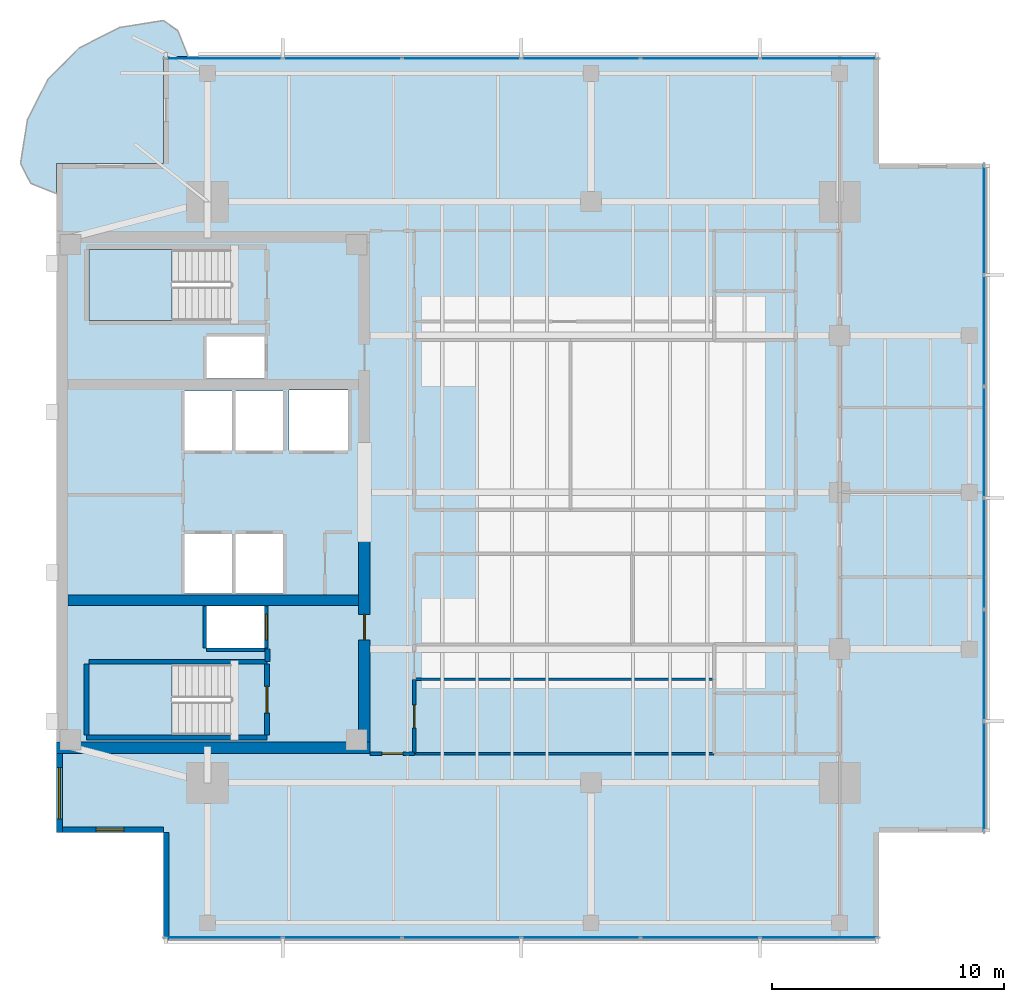
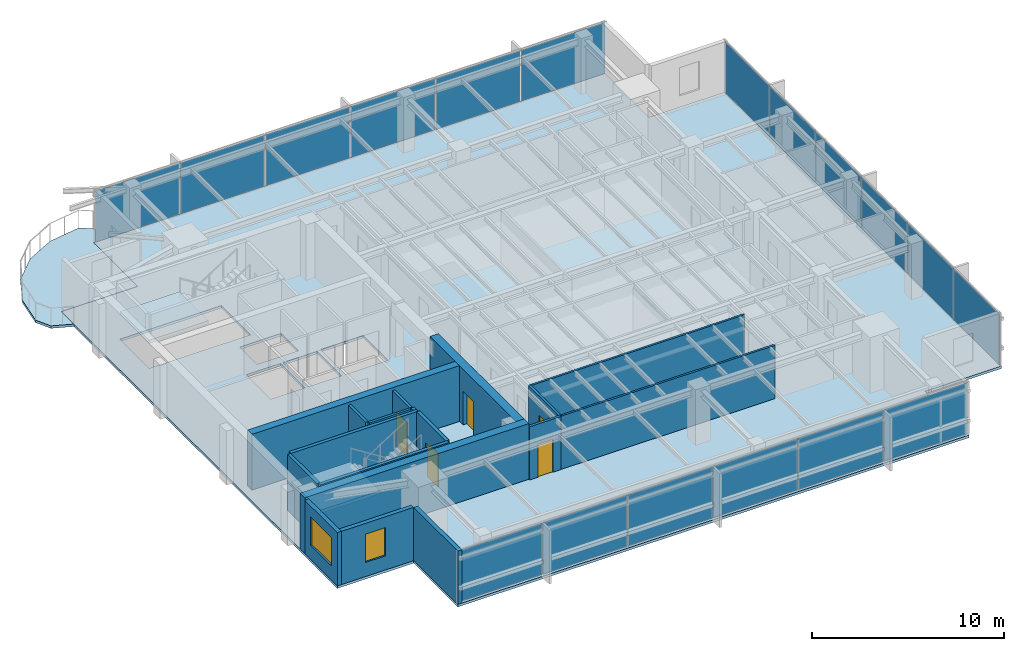
# One storey, part 7 of 14: 18 plates, 18 walls, 5 doors, 4 slabs, 2 windows, 7 openings, 5 elements without a shape of their own.
"""IFC4 building model written with IfcOpenShell, lengths in metres."""

from ifc_helpers import new_model, si_unit, direction, frame, frame_2d, origin, origin_2d, place, context, subcontext, project, spatial, polyline, rectangle, outline, extrude, material, layer, layer_set, type_object, element, fill, aggregate, save


model = new_model("IFC4")

# Units and contexts
model_context = context("Model", 3, precision=1e-05, world=origin(), true_north=direction((0.0, 1.0)))
body_context = subcontext(model_context, "Body", "Model", "MODEL_VIEW")
ifc_project = project(units=[si_unit("LENGTHUNIT", "METRE"), si_unit("AREAUNIT", "SQUARE_METRE"), si_unit("VOLUMEUNIT", "CUBIC_METRE"), si_unit("PLANEANGLEUNIT", "RADIAN"), si_unit("MASSUNIT", "GRAM", prefix="KILO")], contexts=[model_context])

# Site, building, storey
site_placement = place(None, origin())
site = spatial("IfcSite", under=ifc_project, at=site_placement, CompositionType="ELEMENT")
building_placement = place(site_placement, origin())
building = spatial("IfcBuilding", under=site, at=building_placement, Name="Kinhvarn Gate Tower", CompositionType="ELEMENT")
storey_placement = place(building_placement, frame((0.0, 0.0, 252.800048828125)))
storey = spatial("IfcBuildingStorey", under=building, at=storey_placement, Name="L67", CompositionType="ELEMENT", Elevation=252.800048828125)

# Curtain wall, plates
ifc_material_1 = material(Name="Anodised aluminium AW-6063", Category="aluminium")
ifc_layer_1 = layer(ifc_material_1, 0.179931640625)
ifc_layer_set_1 = layer_set([ifc_layer_1], Name="Anodised aluminium AW-6063")
curtain_wall_type = type_object("IfcCurtainWallType", Name="CW-SYS-3", PredefinedType="NOTDEFINED", material=ifc_layer_set_1)
curtain_wall_1_placement = place(storey_placement, origin())
curtain_wall_1 = element("IfcCurtainWall", 1, at=curtain_wall_1_placement, inside=storey, type_object=curtain_wall_type, Name="Curtain Wall CW3 (L67)", PredefinedType="NOTDEFINED")
ifc_material_2 = material(Name="Clear low-e double glazing", Category="glass")
ifc_layer_2 = layer(ifc_material_2, 0.031982421875)
ifc_layer_set_2 = layer_set([ifc_layer_2], Name="Clear low-e double glazing")
plate_type = type_object("IfcPlateType", Name="CW-PNL-VIS", PredefinedType="CURTAIN_PANEL", material=ifc_layer_set_2)
plate_1_placement = place(storey_placement, frame((11.682861328125, 6.090087890625, 0.070068359375), z_axis=(0.0, 0.0, 1.0), x_axis=(1.0, 0.0, 0.0)))
plate_1 = element("IfcPlate", 2, at=plate_1_placement, type_object=plate_type, Name="CW3 panel 1.1", PredefinedType="CURTAIN_PANEL", context=body_context, shape_type="SweptSolid", body=[
    extrude(rectangle(XDim=5.035888671875, YDim=0.031982421875, at=origin_2d()), origin(), (0.0, 0.0, 1.0), 3.25),
])
plate_2_placement = place(storey_placement, frame((16.800048828125, 6.090087890625, 0.070068359375), z_axis=(0.0, 0.0, 1.0), x_axis=(1.0, 0.0, 0.0)))
plate_2 = element("IfcPlate", 3, at=plate_2_placement, type_object=plate_type, Name="CW3 panel 2.1", PredefinedType="CURTAIN_PANEL", context=body_context, shape_type="SweptSolid", body=[
    extrude(rectangle(XDim=5.068359375, YDim=0.031982421875, at=origin_2d()), origin(), (0.0, 0.0, 1.0), 3.25),
])
plate_3_placement = place(storey_placement, frame((21.933349609375, 6.090087890625, 0.070068359375), z_axis=(0.0, 0.0, 1.0), x_axis=(1.0, 0.0, 0.0)))
plate_3 = element("IfcPlate", 4, at=plate_3_placement, type_object=plate_type, Name="CW3 panel 3.1", PredefinedType="CURTAIN_PANEL", context=body_context, shape_type="SweptSolid", body=[
    extrude(rectangle(XDim=5.068359375, YDim=0.031982421875, at=origin_2d()), origin(), (0.0, 0.0, 1.0), 3.25),
])
plate_4_placement = place(storey_placement, frame((27.066650390625, 6.090087890625, 0.070068359375), z_axis=(0.0, 0.0, 1.0), x_axis=(1.0, 0.0, 0.0)))
plate_4 = element("IfcPlate", 5, at=plate_4_placement, type_object=plate_type, Name="CW3 panel 4.1", PredefinedType="CURTAIN_PANEL", context=body_context, shape_type="SweptSolid", body=[
    extrude(rectangle(XDim=5.068359375, YDim=0.031982421875, at=origin_2d()), origin(), (0.0, 0.0, 1.0), 3.25),
])
plate_5_placement = place(storey_placement, frame((32.199951171875, 6.090087890625, 0.070068359375), z_axis=(0.0, 0.0, 1.0), x_axis=(1.0, 0.0, 0.0)))
plate_5 = element("IfcPlate", 6, at=plate_5_placement, type_object=plate_type, Name="CW3 panel 5.1", PredefinedType="CURTAIN_PANEL", context=body_context, shape_type="SweptSolid", body=[
    extrude(rectangle(XDim=5.068359375, YDim=0.031982421875, at=origin_2d()), origin(), (0.0, 0.0, 1.0), 3.25),
])
plate_6_placement = place(storey_placement, frame((37.317138671875, 6.090087890625, 0.070068359375), z_axis=(0.0, 0.0, 1.0), x_axis=(1.0, 0.0, 0.0)))
plate_6 = element("IfcPlate", 7, at=plate_6_placement, type_object=plate_type, Name="CW3 panel 6.1", PredefinedType="CURTAIN_PANEL", context=body_context, shape_type="SweptSolid", body=[
    extrude(rectangle(XDim=5.035888671875, YDim=0.031982421875, at=origin_2d()), origin(), (0.0, 0.0, 1.0), 3.25),
])
aggregate(curtain_wall_1, [plate_1, plate_2, plate_3, plate_4, plate_5, plate_6])

curtain_wall_2_placement = place(storey_placement, origin())
curtain_wall_2 = element("IfcCurtainWall", 8, at=curtain_wall_2_placement, inside=storey, type_object=curtain_wall_type, Name="Curtain Wall CW3 (L67)", PredefinedType="NOTDEFINED")
plate_7_placement = place(storey_placement, frame((37.317138671875, 43.909912109375, 0.070068359375), z_axis=(0.0, 0.0, 1.0), x_axis=(-1.0, 0.0, 0.0)))
plate_7 = element("IfcPlate", 9, at=plate_7_placement, type_object=plate_type, Name="CW3 panel 1.1", PredefinedType="CURTAIN_PANEL", context=body_context, shape_type="SweptSolid", body=[
    extrude(rectangle(XDim=5.035888671875, YDim=0.031982421875, at=origin_2d()), origin(), (0.0, 0.0, 1.0), 3.25),
])
plate_8_placement = place(storey_placement, frame((32.199951171875, 43.909912109375, 0.070068359375), z_axis=(0.0, 0.0, 1.0), x_axis=(-1.0, 0.0, 0.0)))
plate_8 = element("IfcPlate", 10, at=plate_8_placement, type_object=plate_type, Name="CW3 panel 2.1", PredefinedType="CURTAIN_PANEL", context=body_context, shape_type="SweptSolid", body=[
    extrude(rectangle(XDim=5.068359375, YDim=0.031982421875, at=origin_2d()), origin(), (0.0, 0.0, 1.0), 3.25),
])
plate_9_placement = place(storey_placement, frame((27.066650390625, 43.909912109375, 0.070068359375), z_axis=(0.0, 0.0, 1.0), x_axis=(-1.0, 0.0, 0.0)))
plate_9 = element("IfcPlate", 11, at=plate_9_placement, type_object=plate_type, Name="CW3 panel 3.1", PredefinedType="CURTAIN_PANEL", context=body_context, shape_type="SweptSolid", body=[
    extrude(rectangle(XDim=5.068359375, YDim=0.031982421875, at=origin_2d()), origin(), (0.0, 0.0, 1.0), 3.25),
])
plate_10_placement = place(storey_placement, frame((21.933349609375, 43.909912109375, 0.070068359375), z_axis=(0.0, 0.0, 1.0), x_axis=(-1.0, 0.0, 0.0)))
plate_10 = element("IfcPlate", 12, at=plate_10_placement, type_object=plate_type, Name="CW3 panel 4.1", PredefinedType="CURTAIN_PANEL", context=body_context, shape_type="SweptSolid", body=[
    extrude(rectangle(XDim=5.068359375, YDim=0.031982421875, at=origin_2d()), origin(), (0.0, 0.0, 1.0), 3.25),
])
plate_11_placement = place(storey_placement, frame((16.800048828125, 43.909912109375, 0.070068359375), z_axis=(0.0, 0.0, 1.0), x_axis=(-1.0, 0.0, 0.0)))
plate_11 = element("IfcPlate", 13, at=plate_11_placement, type_object=plate_type, Name="CW3 panel 5.1", PredefinedType="CURTAIN_PANEL", context=body_context, shape_type="SweptSolid", body=[
    extrude(rectangle(XDim=5.068359375, YDim=0.031982421875, at=origin_2d()), origin(), (0.0, 0.0, 1.0), 3.25),
])
plate_12_placement = place(storey_placement, frame((11.682861328125, 43.909912109375, 0.070068359375), z_axis=(0.0, 0.0, 1.0), x_axis=(-1.0, 0.0, 0.0)))
plate_12 = element("IfcPlate", 14, at=plate_12_placement, type_object=plate_type, Name="CW3 panel 6.1", PredefinedType="CURTAIN_PANEL", context=body_context, shape_type="SweptSolid", body=[
    extrude(rectangle(XDim=5.035888671875, YDim=0.031982421875, at=origin_2d()), origin(), (0.0, 0.0, 1.0), 3.25),
])
aggregate(curtain_wall_2, [plate_7, plate_8, plate_9, plate_10, plate_11, plate_12])

curtain_wall_3_placement = place(storey_placement, origin())
curtain_wall_3 = element("IfcCurtainWall", 15, at=curtain_wall_3_placement, inside=storey, type_object=curtain_wall_type, Name="Curtain Wall CW3 (L67)", PredefinedType="NOTDEFINED")
plate_13_placement = place(storey_placement, frame((44.409912109375, 13.016357421875, 0.070068359375), z_axis=(0.0, 0.0, 1.0), x_axis=(0.0, 1.0, 0.0)))
plate_13 = element("IfcPlate", 16, at=plate_13_placement, type_object=plate_type, Name="CW3 panel 1.1", PredefinedType="CURTAIN_PANEL", context=body_context, shape_type="SweptSolid", body=[
    extrude(rectangle(XDim=4.702392578125, YDim=0.031982421875, at=origin_2d()), origin(), (0.0, 0.0, 1.0), 3.25),
])
plate_14_placement = place(storey_placement, frame((44.409912109375, 17.800048828125, 0.070068359375), z_axis=(0.0, 0.0, 1.0), x_axis=(0.0, 1.0, 0.0)))
plate_14 = element("IfcPlate", 17, at=plate_14_placement, type_object=plate_type, Name="CW3 panel 2.1", PredefinedType="CURTAIN_PANEL", context=body_context, shape_type="SweptSolid", body=[
    extrude(rectangle(XDim=4.735107421875, YDim=0.031982421875, at=origin_2d()), origin(), (0.0, 0.0, 1.0), 3.25),
])
plate_15_placement = place(storey_placement, frame((44.409912109375, 22.60009765625, 0.070068359375), z_axis=(0.0, 0.0, 1.0), x_axis=(0.0, 1.0, 0.0)))
plate_15 = element("IfcPlate", 18, at=plate_15_placement, type_object=plate_type, Name="CW3 panel 3.1", PredefinedType="CURTAIN_PANEL", context=body_context, shape_type="SweptSolid", body=[
    extrude(rectangle(XDim=4.735107421875, YDim=0.031982421875, at=origin_2d()), origin(), (0.0, 0.0, 1.0), 3.25),
])
plate_16_placement = place(storey_placement, frame((44.409912109375, 27.39990234375, 0.070068359375), z_axis=(0.0, 0.0, 1.0), x_axis=(0.0, 1.0, 0.0)))
plate_16 = element("IfcPlate", 19, at=plate_16_placement, type_object=plate_type, Name="CW3 panel 4.1", PredefinedType="CURTAIN_PANEL", context=body_context, shape_type="SweptSolid", body=[
    extrude(rectangle(XDim=4.735107421875, YDim=0.031982421875, at=origin_2d()), origin(), (0.0, 0.0, 1.0), 3.25),
])
plate_17_placement = place(storey_placement, frame((44.409912109375, 32.199951171875, 0.070068359375), z_axis=(0.0, 0.0, 1.0), x_axis=(0.0, 1.0, 0.0)))
plate_17 = element("IfcPlate", 20, at=plate_17_placement, type_object=plate_type, Name="CW3 panel 5.1", PredefinedType="CURTAIN_PANEL", context=body_context, shape_type="SweptSolid", body=[
    extrude(rectangle(XDim=4.735107421875, YDim=0.031982421875, at=origin_2d()), origin(), (0.0, 0.0, 1.0), 3.25),
])
plate_18_placement = place(storey_placement, frame((44.409912109375, 36.983642578125, 0.070068359375), z_axis=(0.0, 0.0, 1.0), x_axis=(0.0, 1.0, 0.0)))
plate_18 = element("IfcPlate", 21, at=plate_18_placement, type_object=plate_type, Name="CW3 panel 6.1", PredefinedType="CURTAIN_PANEL", context=body_context, shape_type="SweptSolid", body=[
    extrude(rectangle(XDim=4.702392578125, YDim=0.031982421875, at=origin_2d()), origin(), (0.0, 0.0, 1.0), 3.25),
])
aggregate(curtain_wall_3, [plate_13, plate_14, plate_15, plate_16, plate_17, plate_18])

# Slabs
ifc_material_3 = material(Name="Precast white architectural concrete C40/50", Category="concrete")
ifc_layer_3 = layer(ifc_material_3, 0.159912109375)
ifc_layer_set_3 = layer_set([ifc_layer_3], Name="Precast white architectural concrete C40/50")
slab_type_1 = type_object("IfcSlabType", Name="SLB-BAL-160", PredefinedType="FLOOR", material=ifc_layer_set_3)
slab_1_placement = place(storey_placement, frame((0.0, 0.0, -0.16015625)))
element("IfcSlab", 22, at=slab_1_placement, inside=storey, type_object=slab_type_1, Name="S-Carve Curved Terrace Balcony Slab L67 (NW)", PredefinedType="FLOOR", context=body_context, shape_type="SweptSolid", body=[
    extrude(outline(polyline([(10.166015625, 44.0), (9.716064453125, 45.11376953125), (9.10009765625, 45.547119140625), (7.200439453125, 45.24609375), (5.48681640625, 44.373046875), (4.126953125, 43.01318359375), (3.25390625, 41.299560546875), (2.952880859375, 39.39990234375), (3.38623046875, 38.548095703125), (4.5, 38.097900390625), (4.5, 39.39990234375), (9.10009765625, 39.39990234375), (9.10009765625, 44.0), (10.166015625, 44.0)])), origin(), (0.0, 0.0, 1.0), 0.16015625),
])
ifc_material_4 = material(Name="Concrete C40/50", Category="concrete")
ifc_layer_4 = layer(ifc_material_4, 0.159912109375)
ifc_layer_set_4 = layer_set([ifc_layer_4], Name="Concrete C40/50")
slab_type_2 = type_object("IfcSlabType", Name="SLB-FLR-160", PredefinedType="FLOOR", material=ifc_layer_set_4)
slab_2_placement = place(storey_placement, frame((0.0, 0.0, -0.16015625)))
element("IfcSlab", 23, at=slab_2_placement, inside=storey, type_object=slab_type_2, Name="Suspended Floor Slab L67", PredefinedType="FLOOR", context=body_context, shape_type="SweptSolid", body=[
    extrude(outline(polyline([(9.10009765625, 6.0), (39.89990234375, 6.0), (39.89990234375, 10.60009765625), (44.5, 10.60009765625), (44.5, 39.39990234375), (39.89990234375, 39.39990234375), (39.89990234375, 44.0), (9.10009765625, 44.0), (9.10009765625, 39.39990234375), (4.5, 39.39990234375), (4.5, 10.60009765625), (9.10009765625, 10.60009765625), (9.10009765625, 6.0)]), holes=[polyline([(5.89990234375, 14.800048828125), (12.0, 14.800048828125), (12.0, 17.85009765625), (5.89990234375, 17.85009765625), (5.89990234375, 14.800048828125)]), polyline([(5.89990234375, 32.64990234375), (12.0, 32.64990234375), (12.0, 35.699951171875), (5.89990234375, 35.699951171875), (5.89990234375, 32.64990234375)]), polyline([(10.0, 20.89990234375), (12.050048828125, 20.89990234375), (12.050048828125, 23.449951171875), (10.0, 23.449951171875), (10.0, 20.89990234375)]), polyline([(12.199951171875, 20.89990234375), (14.25, 20.89990234375), (14.25, 23.449951171875), (12.199951171875, 23.449951171875), (12.199951171875, 20.89990234375)]), polyline([(10.0, 27.050048828125), (12.050048828125, 27.050048828125), (12.050048828125, 29.60009765625), (10.0, 29.60009765625), (10.0, 27.050048828125)]), polyline([(12.199951171875, 27.050048828125), (14.25, 27.050048828125), (14.25, 29.60009765625), (12.199951171875, 29.60009765625), (12.199951171875, 27.050048828125)]), polyline([(14.5, 27.050048828125), (17.050048828125, 27.050048828125), (17.050048828125, 29.64990234375), (14.5, 29.64990234375), (14.5, 27.050048828125)]), polyline([(10.949951171875, 18.550048828125), (13.449951171875, 18.550048828125), (13.449951171875, 20.35009765625), (10.949951171875, 20.35009765625), (10.949951171875, 18.550048828125)]), polyline([(10.949951171875, 30.14990234375), (13.449951171875, 30.14990234375), (13.449951171875, 31.949951171875), (10.949951171875, 31.949951171875), (10.949951171875, 30.14990234375)])]), origin(), (0.0, 0.0, 1.0), 0.16015625),
])

# Stair, slab
stair_type = type_object("IfcStairType", Name="STR-DLG-178", PredefinedType="HALF_TURN_STAIR", material=ifc_material_4)
stair_1_placement = place(storey_placement, origin())
stair_1 = element("IfcStair", 24, at=stair_1_placement, inside=storey, type_object=stair_type, Name="L67 Core Smokeproof Exit Stair ST1", PredefinedType="HALF_TURN_STAIR")
ifc_layer_5 = layer(ifc_material_4, 0.199951171875)
ifc_layer_set_5 = layer_set([ifc_layer_5], Name="Concrete C40/50")
slab_type_3 = type_object("IfcSlabType", Name="SLB-ST-LND", PredefinedType="LANDING", material=ifc_layer_set_5)
slab_3_placement = place(storey_placement, frame((0.0, 0.0, 1.574951171875)))
slab_3 = element("IfcSlab", 25, at=slab_3_placement, type_object=slab_type_3, Name="ST1 landing 1", PredefinedType="LANDING", context=body_context, shape_type="SweptSolid", body=[
    extrude(outline(polyline([(9.47998046875, 17.85009765625), (5.89990234375, 17.85009765625), (5.89990234375, 14.800048828125), (9.47998046875, 14.800048828125), (9.47998046875, 17.85009765625)])), origin(), (0.0, 0.0, 1.0), 0.199951171875),
])
aggregate(stair_1, [slab_3])

stair_2_placement = place(storey_placement, origin())
stair_2 = element("IfcStair", 26, at=stair_2_placement, inside=storey, type_object=stair_type, Name="L67 Core Smokeproof Exit Stair ST2", PredefinedType="HALF_TURN_STAIR")
slab_4_placement = place(storey_placement, frame((0.0, 0.0, 1.574951171875)))
slab_4 = element("IfcSlab", 27, at=slab_4_placement, type_object=slab_type_3, Name="ST2 landing 1", PredefinedType="LANDING", context=body_context, shape_type="SweptSolid", body=[
    extrude(outline(polyline([(9.47998046875, 35.699951171875), (5.89990234375, 35.699951171875), (5.89990234375, 32.64990234375), (9.47998046875, 32.64990234375), (9.47998046875, 35.699951171875)])), origin(), (0.0, 0.0, 1.0), 0.199951171875),
])
aggregate(stair_2, [slab_4])

# Walls
ifc_material_5 = material(Name="Concrete C50/60", Category="concrete")
ifc_layer_6 = layer(ifc_material_5, 0.449951171875)
ifc_layer_set_6 = layer_set([ifc_layer_6], Name="Concrete C50/60")
wall_type_1 = type_object("IfcWallType", Name="WL-CORE-450", PredefinedType="SHEAR", material=ifc_layer_set_6)
wall_1_placement = place(storey_placement, frame((5.0, 20.60009765625, 0.0), z_axis=(0.0, 0.0, 1.0), x_axis=(1.0, 0.0, 0.0)))
element("IfcWall", 28, at=wall_1_placement, inside=storey, type_object=wall_type_1, Name="Core South Spine Shear Wall L67 450 mm", PredefinedType="SHEAR", context=body_context, shape_type="SweptSolid", body=[
    extrude(rectangle(XDim=12.5, YDim=0.449951171875, at=frame_2d((6.25, 0.0))), origin(), (0.0, 0.0, 1.0), 3.550048828125),
])
ifc_layer_7 = layer(ifc_material_5, 0.5)
ifc_layer_set_7 = layer_set([ifc_layer_7], Name="Concrete C50/60")
wall_type_2 = type_object("IfcWallType", Name="WL-CORE-500", PredefinedType="SHEAR", material=ifc_layer_set_7)
wall_2_placement = place(storey_placement, frame((4.5, 14.25, 0.0), z_axis=(0.0, 0.0, 1.0), x_axis=(1.0, 0.0, 0.0)))
element("IfcWall", 29, at=wall_2_placement, inside=storey, type_object=wall_type_2, Name="Core South Shear Wall L67 500 mm", PredefinedType="SHEAR", context=body_context, shape_type="SweptSolid", body=[
    extrude(rectangle(XDim=13.5, YDim=0.5, at=frame_2d((6.75, 0.0))), origin(), (0.0, 0.0, 1.0), 3.550048828125),
])

# Wall, opening, door
wall_3_placement = place(storey_placement, frame((17.75, 14.5, 0.0), z_axis=(0.0, 0.0, 1.0), x_axis=(0.0, 1.0, 0.0)))
wall_3 = element("IfcWall", 30, at=wall_3_placement, inside=storey, type_object=wall_type_2, Name="Core East-South Shear Pier L67 500 mm", PredefinedType="SHEAR", context=body_context, shape_type="SweptSolid", body=[
    extrude(rectangle(XDim=8.949951171875, YDim=0.5, at=frame_2d((4.47509765625, 0.0))), origin(), (0.0, 0.0, 1.0), 3.550048828125),
])
opening_1_placement = place(wall_3_placement, frame((4.39990234375, 0.0, 0.0)))
opening_1 = element("IfcOpeningElement", 31, at=opening_1_placement, cuts=wall_3, Name="Opening FD-02", PredefinedType="OPENING", context=body_context, shape_type="SweptSolid", body=[
    extrude(rectangle(XDim=1.10009765625, YDim=2.14990234375, at=frame_2d((0.550048828125, 1.074951171875))), frame((0.0, 0.260009765625, 0.0), z_axis=(0.0, -1.0, 0.0), x_axis=(1.0, 0.0, 0.0)), (0.0, 0.0, 1.0), 0.52001953125),
])
door_type_1 = type_object("IfcDoorType", Name="DR-FD-1100", OperationType="NOTDEFINED", PredefinedType="DOOR", material=ifc_material_1)
door_1_placement = place(opening_1_placement, origin())
door_1 = element("IfcDoor", 32, at=door_1_placement, inside=storey, type_object=door_type_1, Name="Firefighting Lobby Core Door (L67)", OperationType="SINGLE_SWING_RIGHT", OverallHeight=2.14990234375, OverallWidth=1.10009765625, PredefinedType="DOOR", context=body_context, shape_type="SweptSolid", body=[
    extrude(rectangle(XDim=1.10009765625, YDim=2.14990234375, at=frame_2d((0.550048828125, 1.074951171875))), frame((0.0, 0.02490234375, 0.0), z_axis=(0.0, -1.0, 0.0), x_axis=(1.0, 0.0, 0.0)), (0.0, 0.0, 1.0), 0.050048828125),
])
fill(opening_1, door_1)

# Wall, opening, window
ifc_material_6 = material(Name="Fired architectural terracotta", Category="masonry")
ifc_layer_8 = layer(ifc_material_6, 0.25)
ifc_layer_set_8 = layer_set([ifc_layer_8], Name="Fired architectural terracotta")
wall_type_3 = type_object("IfcWallType", Name="WL-EXT-250", PredefinedType="SOLIDWALL", material=ifc_layer_set_8)
wall_4_placement = place(storey_placement, frame((4.625, 14.0, 0.0), z_axis=(0.0, 0.0, 1.0), x_axis=(0.0, -1.0, 0.0)))
wall_4 = element("IfcWall", 33, at=wall_4_placement, inside=storey, type_object=wall_type_3, Name="Exterior Solidwall Wall EW-250 (L67 West-South)", PredefinedType="SOLIDWALL", context=body_context, shape_type="SweptSolid", body=[
    extrude(rectangle(XDim=3.39990234375, YDim=0.25, at=frame_2d((1.699951171875, 0.0))), origin(), (0.0, 0.0, 1.0), 3.389892578125),
])
opening_2_placement = place(wall_4_placement, frame((0.60009765625, 0.0, 0.89990234375)))
opening_2 = element("IfcOpeningElement", 34, at=opening_2_placement, cuts=wall_4, Name="Opening WN-01", PredefinedType="OPENING", context=body_context, shape_type="SweptSolid", body=[
    extrude(rectangle(XDim=2.199951171875, YDim=1.800048828125, at=frame_2d((1.10009765625, 0.89990234375))), frame((0.0, 0.135009765625, 0.0), z_axis=(0.0, -1.0, 0.0), x_axis=(1.0, 0.0, 0.0)), (0.0, 0.0, 1.0), 0.27001953125),
])
window_type_1 = type_object("IfcWindowType", Name="WIN-RIB-2200", PartitioningType="SINGLE_PANEL", PredefinedType="WINDOW", material=ifc_material_2)
window_1_placement = place(opening_2_placement, origin())
window_1 = element("IfcWindow", 35, at=window_1_placement, inside=storey, type_object=window_type_1, Name="West Flank Double-Glazed Ribbon Window 2200x1800 mm (L67)", OverallHeight=1.800048828125, OverallWidth=2.199951171875, PartitioningType="SINGLE_PANEL", PredefinedType="WINDOW", context=body_context, shape_type="SweptSolid", body=[
    extrude(rectangle(XDim=2.199951171875, YDim=1.800048828125, at=frame_2d((1.10009765625, 0.89990234375))), frame((0.0, 0.030029296875, 0.0), z_axis=(0.0, -1.0, 0.0), x_axis=(1.0, 0.0, 0.0)), (0.0, 0.0, 1.0), 0.06005859375),
])
fill(opening_2, window_1)

wall_5_placement = place(storey_placement, frame((4.5, 10.72509765625, 0.0), z_axis=(0.0, 0.0, 1.0), x_axis=(1.0, 0.0, 0.0)))
wall_5 = element("IfcWall", 36, at=wall_5_placement, inside=storey, type_object=wall_type_3, Name="Exterior Solidwall Wall EW-250 (L67 SW-Notch-1)", PredefinedType="SOLIDWALL", context=body_context, shape_type="SweptSolid", body=[
    extrude(rectangle(XDim=4.60009765625, YDim=0.25, at=frame_2d((2.300048828125, 0.0))), origin(), (0.0, 0.0, 1.0), 3.389892578125),
])
opening_3_placement = place(wall_5_placement, frame((1.699951171875, 0.0, 0.89990234375)))
opening_3 = element("IfcOpeningElement", 37, at=opening_3_placement, cuts=wall_5, Name="Opening WN-02", PredefinedType="OPENING", context=body_context, shape_type="SweptSolid", body=[
    extrude(rectangle(XDim=1.199951171875, YDim=1.800048828125, at=frame_2d((0.60009765625, 0.89990234375))), frame((0.0, 0.135009765625, 0.0), z_axis=(0.0, -1.0, 0.0), x_axis=(1.0, 0.0, 0.0)), (0.0, 0.0, 1.0), 0.27001953125),
])
window_type_2 = type_object("IfcWindowType", Name="WIN-NTC-1200", PartitioningType="SINGLE_PANEL", PredefinedType="WINDOW", material=ifc_material_2)
window_2_placement = place(opening_3_placement, origin())
window_2 = element("IfcWindow", 38, at=window_2_placement, inside=storey, type_object=window_type_2, Name="Recessed Corner Notch Punched Window 1200x1800 mm (L67)", OverallHeight=1.800048828125, OverallWidth=1.199951171875, PartitioningType="SINGLE_PANEL", PredefinedType="WINDOW", context=body_context, shape_type="SweptSolid", body=[
    extrude(rectangle(XDim=1.199951171875, YDim=1.800048828125, at=frame_2d((0.60009765625, 0.89990234375))), frame((0.0, 0.030029296875, 0.0), z_axis=(0.0, -1.0, 0.0), x_axis=(1.0, 0.0, 0.0)), (0.0, 0.0, 1.0), 0.06005859375),
])
fill(opening_3, window_2)

# Walls
wall_6_placement = place(storey_placement, frame((9.22509765625, 10.60009765625, 0.0), z_axis=(0.0, 0.0, 1.0), x_axis=(0.0, -1.0, 0.0)))
element("IfcWall", 39, at=wall_6_placement, inside=storey, type_object=wall_type_3, Name="Exterior Solidwall Wall EW-250 (L67 SW-Notch-2)", PredefinedType="SOLIDWALL", context=body_context, shape_type="SweptSolid", body=[
    extrude(rectangle(XDim=4.60009765625, YDim=0.25, at=frame_2d((2.300048828125, 0.0))), origin(), (0.0, 0.0, 1.0), 3.389892578125),
])
ifc_material_7 = material(Name="Gypsum acoustic partition board")
ifc_layer_9 = layer(ifc_material_7, 0.1201171875)
ifc_layer_set_9 = layer_set([ifc_layer_9], Name="Gypsum acoustic partition board")
wall_type_4 = type_object("IfcWallType", Name="WL-PRT-120", PredefinedType="PARTITIONING", material=ifc_layer_set_9)
for number, where, z_axis, x_axis, name in (
    (40, (19.89990234375, 17.199951171875, 0.0), (0.0, 0.0, 1.0), (1.0, 0.0, 0.0), "Interior Partition PW-120 (L67)"),
    (41, (19.89990234375, 14.0, 0.0), (0.0, 0.0, 1.0), (1.0, 0.0, 0.0), "Interior Partition PW-120 (L67)"),
):
    element("IfcWall", number, at=place(storey_placement, frame(where, z_axis=z_axis, x_axis=x_axis)), inside=storey, type_object=wall_type_4, Name=name, PredefinedType="PARTITIONING", context=body_context, shape_type="SweptSolid", body=[
        extrude(rectangle(XDim=12.900146484375, YDim=0.1201171875, at=frame_2d((6.4501953125, 0.0))), origin(), (0.0, 0.0, 1.0), 3.389892578125),
    ])

# Wall, opening, door
ifc_layer_10 = layer(ifc_material_7, 0.14990234375)
ifc_layer_set_10 = layer_set([ifc_layer_10], Name="Gypsum acoustic partition board")
wall_type_5 = type_object("IfcWallType", Name="WL-PRT-150F", PredefinedType="PARTITIONING", material=ifc_layer_set_10)
wall_7_placement = place(storey_placement, frame((19.89990234375, 14.0, 0.0), z_axis=(0.0, 0.0, 1.0), x_axis=(0.0, 1.0, 0.0)))
wall_7 = element("IfcWall", 42, at=wall_7_placement, inside=storey, type_object=wall_type_5, Name="Interior Partition PW-150F (L67)", PredefinedType="PARTITIONING", context=body_context, shape_type="SweptSolid", body=[
    extrude(rectangle(XDim=3.199951171875, YDim=0.14990234375, at=frame_2d((1.60009765625, 0.0))), origin(), (0.0, 0.0, 1.0), 3.389892578125),
])
opening_4_placement = place(wall_7_placement, frame((1.10009765625, 0.0, 0.0)))
opening_4 = element("IfcOpeningElement", 43, at=opening_4_placement, cuts=wall_7, Name="Opening ID-02", PredefinedType="OPENING", context=body_context, shape_type="SweptSolid", body=[
    extrude(rectangle(XDim=1.0, YDim=2.14990234375, at=frame_2d((0.5, 1.074951171875))), frame((0.0, 0.0849609375, 0.0), z_axis=(0.0, -1.0, 0.0), x_axis=(1.0, 0.0, 0.0)), (0.0, 0.0, 1.0), 0.169921875),
])
door_type_2 = type_object("IfcDoorType", Name="DR-INT-1000", OperationType="NOTDEFINED", PredefinedType="DOOR", material=ifc_material_1)
door_2_placement = place(opening_4_placement, origin())
door_2 = element("IfcDoor", 44, at=door_2_placement, inside=storey, type_object=door_type_2, Name="Standard Office & Meeting Room Door 1000x2150 mm (L67)", OperationType="SINGLE_SWING_LEFT", OverallHeight=2.14990234375, OverallWidth=1.0, PredefinedType="DOOR", context=body_context, shape_type="SweptSolid", body=[
    extrude(rectangle(XDim=1.0, YDim=2.14990234375, at=frame_2d((0.5, 1.074951171875))), frame((0.0, 0.02490234375, 0.0), z_axis=(0.0, -1.0, 0.0), x_axis=(1.0, 0.0, 0.0)), (0.0, 0.0, 1.0), 0.050048828125),
])
fill(opening_4, door_2)

wall_8_placement = place(storey_placement, frame((18.0, 14.0, 0.0), z_axis=(0.0, 0.0, 1.0), x_axis=(1.0, 0.0, 0.0)))
wall_8 = element("IfcWall", 45, at=wall_8_placement, inside=storey, type_object=wall_type_5, Name="Interior Partition PW-150F (L67)", PredefinedType="PARTITIONING", context=body_context, shape_type="SweptSolid", body=[
    extrude(rectangle(XDim=1.89990234375, YDim=0.14990234375, at=frame_2d((0.949951171875, 0.0))), origin(), (0.0, 0.0, 1.0), 3.389892578125),
])
opening_5_placement = place(wall_8_placement, frame((0.5, 0.0, 0.0)))
opening_5 = element("IfcOpeningElement", 46, at=opening_5_placement, cuts=wall_8, Name="Opening ID-03", PredefinedType="OPENING", context=body_context, shape_type="SweptSolid", body=[
    extrude(rectangle(XDim=0.89990234375, YDim=2.10009765625, at=frame_2d((0.449951171875, 1.050048828125))), frame((0.0, 0.0849609375, 0.0), z_axis=(0.0, -1.0, 0.0), x_axis=(1.0, 0.0, 0.0)), (0.0, 0.0, 1.0), 0.169921875),
])
door_type_3 = type_object("IfcDoorType", Name="DR-INT-900", OperationType="NOTDEFINED", PredefinedType="DOOR", material=ifc_material_1)
door_3_placement = place(opening_5_placement, origin())
door_3 = element("IfcDoor", 47, at=door_3_placement, inside=storey, type_object=door_type_3, Name="Cellular Office & Restroom Door 900x2100 mm (L67)", OperationType="SINGLE_SWING_RIGHT", OverallHeight=2.10009765625, OverallWidth=0.89990234375, PredefinedType="DOOR", context=body_context, shape_type="SweptSolid", body=[
    extrude(rectangle(XDim=0.89990234375, YDim=2.10009765625, at=frame_2d((0.449951171875, 1.050048828125))), frame((0.0, 0.02490234375, 0.0), z_axis=(0.0, -1.0, 0.0), x_axis=(1.0, 0.0, 0.0)), (0.0, 0.0, 1.0), 0.050048828125),
])
fill(opening_5, door_3)

# Walls
ifc_layer_11 = layer(ifc_material_7, 0.199951171875)
ifc_layer_set_11 = layer_set([ifc_layer_11], Name="Gypsum acoustic partition board")
wall_type_6 = type_object("IfcWallType", Name="WL-PRT-200", PredefinedType="PARTITIONING", material=ifc_layer_set_11)
wall_9_placement = place(storey_placement, frame((13.580078125, 17.9599609375, 0.0), z_axis=(0.0, 0.0, 1.0), x_axis=(0.0, 1.0, 0.0)))
element("IfcWall", 48, at=wall_9_placement, inside=storey, type_object=wall_type_6, Name="Interior Partition PW-200 (L67)", PredefinedType="PARTITIONING", context=body_context, shape_type="SweptSolid", body=[
    extrude(rectangle(XDim=0.5400390625, YDim=0.199951171875, at=frame_2d((0.27001953125, 0.0))), origin(), (0.0, 0.0, 1.0), 3.389892578125),
])
ifc_layer_12 = layer(ifc_material_7, 0.14990234375)
ifc_layer_set_12 = layer_set([ifc_layer_12], Name="Gypsum acoustic partition board")
wall_type_7 = type_object("IfcWallType", Name="WL-SHF-150", PredefinedType="PARTITIONING", material=ifc_layer_set_12)
wall_10_placement = place(storey_placement, frame((10.949951171875, 18.47509765625, 0.0), z_axis=(0.0, 0.0, 1.0), x_axis=(1.0, 0.0, 0.0)))
element("IfcWall", 49, at=wall_10_placement, inside=storey, type_object=wall_type_7, Name="Elevator FF1 Hoistway Wall S (L67)", PredefinedType="PARTITIONING", context=body_context, shape_type="SweptSolid", body=[
    extrude(rectangle(XDim=2.5, YDim=0.14990234375, at=frame_2d((1.25, 0.0))), origin(), (0.0, 0.0, 1.0), 3.389892578125),
])
wall_11_placement = place(storey_placement, frame((10.875, 18.550048828125, 0.0), z_axis=(0.0, 0.0, 1.0), x_axis=(0.0, 1.0, 0.0)))
element("IfcWall", 50, at=wall_11_placement, inside=storey, type_object=wall_type_7, Name="Elevator FF1 Hoistway Wall W (L67)", PredefinedType="PARTITIONING", context=body_context, shape_type="SweptSolid", body=[
    extrude(rectangle(XDim=1.800048828125, YDim=0.14990234375, at=frame_2d((0.89990234375, 0.0))), origin(), (0.0, 0.0, 1.0), 3.389892578125),
])

# Wall, opening, door
wall_12_placement = place(storey_placement, frame((13.52490234375, 18.550048828125, 0.0), z_axis=(0.0, 0.0, 1.0), x_axis=(0.0, 1.0, 0.0)))
wall_12 = element("IfcWall", 51, at=wall_12_placement, inside=storey, type_object=wall_type_7, Name="Elevator FF1 Landing Wall (L67)", PredefinedType="PARTITIONING", context=body_context, shape_type="SweptSolid", body=[
    extrude(rectangle(XDim=1.800048828125, YDim=0.14990234375, at=frame_2d((0.89990234375, 0.0))), origin(), (0.0, 0.0, 1.0), 3.389892578125),
])
opening_6_placement = place(wall_12_placement, frame((0.35009765625, 0.0, 0.0)))
opening_6 = element("IfcOpeningElement", 52, at=opening_6_placement, cuts=wall_12, Name="Opening LD-03", PredefinedType="OPENING", context=body_context, shape_type="SweptSolid", body=[
    extrude(rectangle(XDim=1.10009765625, YDim=2.199951171875, at=frame_2d((0.550048828125, 1.10009765625))), frame((0.0, 0.0849609375, 0.0), z_axis=(0.0, -1.0, 0.0), x_axis=(1.0, 0.0, 0.0)), (0.0, 0.0, 1.0), 0.169921875),
])
door_type_4 = type_object("IfcDoorType", Name="DR-LND-FF", OperationType="NOTDEFINED", PredefinedType="DOOR", material=ifc_material_1)
door_4_placement = place(opening_6_placement, origin())
door_4 = element("IfcDoor", 53, at=door_4_placement, inside=storey, type_object=door_type_4, Name="Elevator FF1 Sliding Landing Door (L67)", OperationType="DOUBLE_DOOR_SLIDING", OverallHeight=2.199951171875, OverallWidth=1.10009765625, PredefinedType="DOOR", context=body_context, shape_type="SweptSolid", body=[
    extrude(rectangle(XDim=1.10009765625, YDim=2.199951171875, at=frame_2d((0.550048828125, 1.10009765625))), frame((0.0, 0.02490234375, 0.0), z_axis=(0.0, -1.0, 0.0), x_axis=(1.0, 0.0, 0.0)), (0.0, 0.0, 1.0), 0.050048828125),
])
fill(opening_6, door_4)

# Walls
ifc_layer_13 = layer(ifc_material_4, 0.199951171875)
ifc_layer_set_13 = layer_set([ifc_layer_13], Name="Concrete C40/50")
wall_type_8 = type_object("IfcWallType", Name="WL-SHF-200", PredefinedType="SOLIDWALL", material=ifc_layer_set_13)
wall_13_placement = place(storey_placement, frame((5.800048828125, 14.699951171875, 0.0), z_axis=(0.0, 0.0, 1.0), x_axis=(1.0, 0.0, 0.0)))
element("IfcWall", 54, at=wall_13_placement, inside=storey, type_object=wall_type_8, Name="Stair ST1 South Shaft Wall (L67)", PredefinedType="SOLIDWALL", context=body_context, shape_type="SweptSolid", body=[
    extrude(rectangle(XDim=7.75, YDim=0.199951171875, at=frame_2d((3.875, 0.0))), origin(), (0.0, 0.0, 1.0), 3.550048828125),
])
wall_14_placement = place(storey_placement, frame((5.7900390625, 14.800048828125, 0.0), z_axis=(0.0, 0.0, 1.0), x_axis=(0.0, 1.0, 0.0)))
element("IfcWall", 55, at=wall_14_placement, inside=storey, type_object=wall_type_8, Name="Stair ST1 West Shaft Wall (L67)", PredefinedType="SOLIDWALL", context=body_context, shape_type="SweptSolid", body=[
    extrude(rectangle(XDim=3.050048828125, YDim=0.199951171875, at=frame_2d((1.52490234375, 0.0))), origin(), (0.0, 0.0, 1.0), 3.550048828125),
])
wall_15_placement = place(storey_placement, frame((5.89990234375, 17.9599609375, 0.0), z_axis=(0.0, 0.0, 1.0), x_axis=(1.0, 0.0, 0.0)))
element("IfcWall", 56, at=wall_15_placement, inside=storey, type_object=wall_type_8, Name="Stair ST1 North Shaft Wall (L67)", PredefinedType="SOLIDWALL", context=body_context, shape_type="SweptSolid", body=[
    extrude(rectangle(XDim=7.66015625, YDim=0.199951171875, at=frame_2d((3.830078125, 0.0))), origin(), (0.0, 0.0, 1.0), 3.550048828125),
])

# Wall, opening, door
wall_16_placement = place(storey_placement, frame((13.56005859375, 14.800048828125, 0.0), z_axis=(0.0, 0.0, 1.0), x_axis=(0.0, 1.0, 0.0)))
wall_16 = element("IfcWall", 57, at=wall_16_placement, inside=storey, type_object=wall_type_8, Name="Stair ST1 East Entry Wall (L67)", PredefinedType="SOLIDWALL", context=body_context, shape_type="SweptSolid", body=[
    extrude(rectangle(XDim=3.050048828125, YDim=0.199951171875, at=frame_2d((1.52490234375, 0.0))), origin(), (0.0, 0.0, 1.0), 3.550048828125),
])
opening_7_placement = place(wall_16_placement, frame((0.949951171875, 0.0, 0.0)))
opening_7 = element("IfcOpeningElement", 58, at=opening_7_placement, cuts=wall_16, Name="Opening FD-01", PredefinedType="OPENING", context=body_context, shape_type="SweptSolid", body=[
    extrude(rectangle(XDim=1.14990234375, YDim=2.14990234375, at=frame_2d((0.574951171875, 1.074951171875))), frame((0.0, 0.10986328125, 0.0), z_axis=(0.0, -1.0, 0.0), x_axis=(1.0, 0.0, 0.0)), (0.0, 0.0, 1.0), 0.219970703125),
])
door_type_5 = type_object("IfcDoorType", Name="DR-ST-1150", OperationType="NOTDEFINED", PredefinedType="DOOR", material=ifc_material_1)
door_5_placement = place(opening_7_placement, origin())
door_5 = element("IfcDoor", 59, at=door_5_placement, inside=storey, type_object=door_type_5, Name="Exit Stair ST1 Fire Door (L67)", OperationType="SINGLE_SWING_LEFT", OverallHeight=2.14990234375, OverallWidth=1.14990234375, PredefinedType="DOOR", context=body_context, shape_type="SweptSolid", body=[
    extrude(rectangle(XDim=1.14990234375, YDim=2.14990234375, at=frame_2d((0.574951171875, 1.074951171875))), frame((0.0, 0.02490234375, 0.0), z_axis=(0.0, -1.0, 0.0), x_axis=(1.0, 0.0, 0.0)), (0.0, 0.0, 1.0), 0.050048828125),
])
fill(opening_7, door_5)

save(model, "model.ifc")
